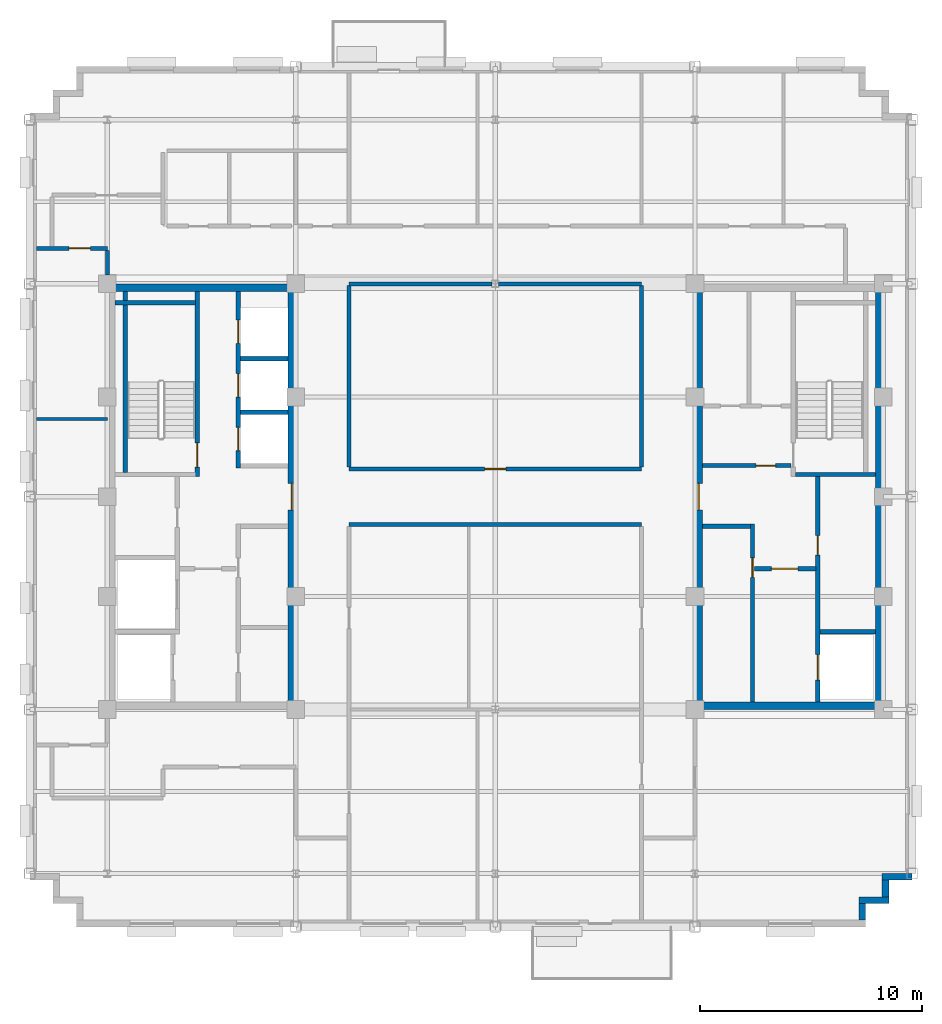
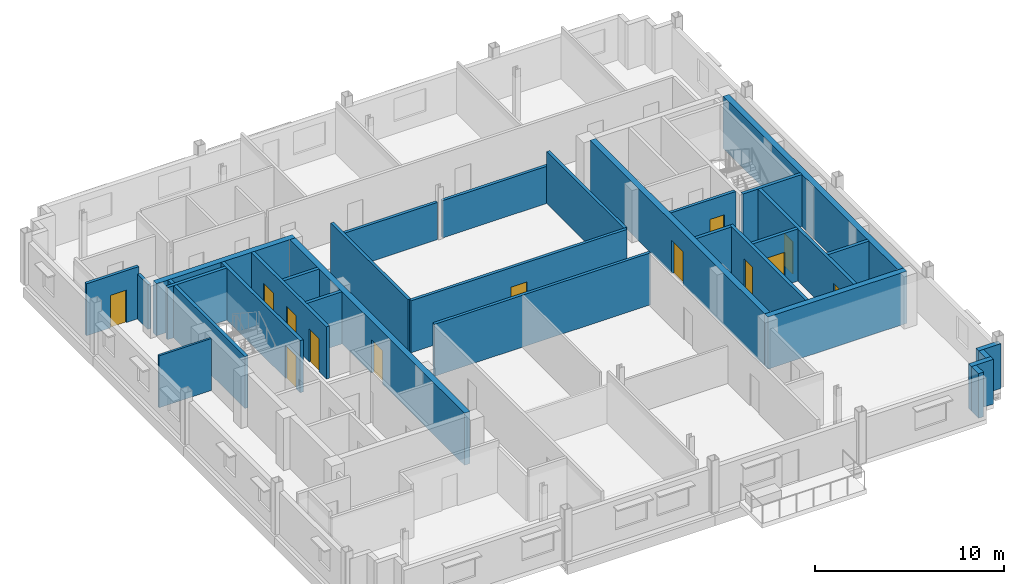
# One storey, part 7 of 13: 31 walls, 13 doors, 13 openings.
"""IFC4 building model written with IfcOpenShell, lengths in metres."""

from ifc_helpers import new_model, si_unit, direction, frame, frame_2d, origin, place, context, subcontext, project, spatial, rectangle, extrude, source, transform, mapped, material, layer, layer_set, type_object, type_shapes, element, fill, save


model = new_model("IFC4")

# Units and contexts
model_context = context("Model", 3, precision=1e-05, world=origin(), true_north=direction((0.0, 1.0)))
body_context = subcontext(model_context, "Body", "Model", "MODEL_VIEW")
ifc_project = project(units=[si_unit("LENGTHUNIT", "METRE"), si_unit("AREAUNIT", "SQUARE_METRE"), si_unit("VOLUMEUNIT", "CUBIC_METRE"), si_unit("PLANEANGLEUNIT", "RADIAN"), si_unit("MASSUNIT", "GRAM", prefix="KILO")], contexts=[model_context])

# Site, building, storey
site_placement = place(None, origin())
site = spatial("IfcSite", under=ifc_project, at=site_placement, CompositionType="ELEMENT")
building_placement = place(site_placement, origin())
building = spatial("IfcBuilding", under=site, at=building_placement, Name="Nuvemarco Arch Tower", CompositionType="ELEMENT")
storey_placement = place(building_placement, frame((0.0, 0.0, 257.949951171875)))
storey = spatial("IfcBuildingStorey", under=building, at=storey_placement, Name="L68", CompositionType="ELEMENT", Elevation=257.949951171875)

# Walls
ifc_material_1 = material(Name="Precast concrete C45/55", Category="concrete")
ifc_layer_1 = layer(ifc_material_1, 0.300048828125, Name="EW-HIGH-300")
ifc_layer_set_1 = layer_set([ifc_layer_1], Name="Precast concrete C45/55")
wall_type_1 = type_object("IfcWallType", Name="EW-HIGH-300", PredefinedType="STANDARD", material=ifc_layer_set_1)
wall_1_placement = place(storey_placement, frame((16.550048828125, -19.10400390625, 0.0), z_axis=(0.0, 0.0, 1.0), x_axis=(0.0, 1.0, 0.0)))
element("IfcWall", 1, at=wall_1_placement, inside=storey, type_object=wall_type_1, Name="L68 exterior precast facade wall 2", PredefinedType="STANDARD", context=body_context, shape_type="SweptSolid", body=[
    extrude(rectangle(XDim=0.758056640625, YDim=0.300048828125, at=frame_2d((0.37890625, 0.0))), origin(), (0.0, 0.0, 1.0), 2.89208984375),
])
wall_2_placement = place(storey_placement, frame((16.39990234375, -18.199951171875, 0.0), z_axis=(0.0, 0.0, 1.0), x_axis=(1.0, 0.0, 0.0)))
element("IfcWall", 2, at=wall_2_placement, inside=storey, type_object=wall_type_1, Name="L68 exterior precast facade wall 3", PredefinedType="STANDARD", context=body_context, shape_type="SweptSolid", body=[
    extrude(rectangle(XDim=1.35009765625, YDim=0.300048828125, at=frame_2d((0.675048828125, 0.0))), origin(), (0.0, 0.0, 1.0), 2.89208984375),
])
wall_3_placement = place(storey_placement, frame((17.60009765625, -18.053955078125, 0.0), z_axis=(0.0, 0.0, 1.0), x_axis=(0.0, 1.0, 0.0)))
element("IfcWall", 3, at=wall_3_placement, inside=storey, type_object=wall_type_1, Name="L68 exterior precast facade wall 4", PredefinedType="STANDARD", context=body_context, shape_type="SweptSolid", body=[
    extrude(rectangle(XDim=0.758056640625, YDim=0.300048828125, at=frame_2d((0.37890625, 0.0))), origin(), (0.0, 0.0, 1.0), 2.89208984375),
])
wall_4_placement = place(storey_placement, frame((17.449951171875, -17.14990234375, 0.0), z_axis=(0.0, 0.0, 1.0), x_axis=(1.0, 0.0, 0.0)))
element("IfcWall", 4, at=wall_4_placement, inside=storey, type_object=wall_type_1, Name="L68 exterior precast facade wall 5", PredefinedType="STANDARD", context=body_context, shape_type="SweptSolid", body=[
    extrude(rectangle(XDim=1.35009765625, YDim=0.300048828125, at=frame_2d((0.675048828125, 0.0))), origin(), (0.0, 0.0, 1.0), 2.89208984375),
])
ifc_material_2 = material(Name="Concrete C50/60", Category="concrete")
ifc_layer_2 = layer(ifc_material_2, 0.35009765625, Name="WL-CORE-350")
ifc_layer_set_2 = layer_set([ifc_layer_2], Name="Concrete C50/60")
wall_type_2 = type_object("IfcWallType", Name="WL-CORE-350", PredefinedType="SHEAR", material=ifc_layer_set_2)
wall_5_placement = place(storey_placement, frame((-17.5, 9.425048828125, 0.0), z_axis=(0.0, 0.0, 1.0), x_axis=(1.0, 0.0, 0.0)))
element("IfcWall", 5, at=wall_5_placement, inside=storey, type_object=wall_type_2, Name="L68 W-core shear wall N", PredefinedType="SHEAR", context=body_context, shape_type="SweptSolid", body=[
    extrude(rectangle(XDim=8.5, YDim=0.35009765625, at=frame_2d((4.25, 0.0))), origin(), (0.0, 0.0, 1.0), 3.3701171875),
])

# Wall, opening, door
wall_6_placement = place(storey_placement, frame((-9.175048828125, -9.2548828125, 0.0), z_axis=(0.0, 0.0, 1.0), x_axis=(0.0, 1.0, 0.0)))
wall_6 = element("IfcWall", 6, at=wall_6_placement, inside=storey, type_object=wall_type_2, Name="L68 W-core shear wall E", PredefinedType="SHEAR", context=body_context, shape_type="SweptSolid", body=[
    extrude(rectangle(XDim=18.509765625, YDim=0.35009765625, at=frame_2d((9.2548828125, 0.0))), origin(), (0.0, 0.0, 1.0), 3.3701171875),
])
opening_1_placement = place(wall_6_placement, frame((8.655029296875, 0.0, 0.0)))
opening_1 = element("IfcOpeningElement", 7, at=opening_1_placement, cuts=wall_6, Name="Opening FD-2", PredefinedType="OPENING", context=body_context, shape_type="SweptSolid", body=[
    extrude(rectangle(XDim=1.199951171875, YDim=2.14990234375, at=frame_2d((0.60009765625, 1.074951171875))), frame((0.0, 0.18505859375, 0.0), z_axis=(0.0, -1.0, 0.0), x_axis=(1.0, 0.0, 0.0)), (0.0, 0.0, 1.0), 0.3701171875),
])
ifc_material_3 = material(Name="Anodised steel fire door", Category="steel")
door_type_1 = type_object("IfcDoorType", Name="DR-FFLOB-FD", OperationType="NOTDEFINED", PredefinedType="DOOR", material=ifc_material_3)
shared_shape_1 = source(origin(), body_context, "Body", "SweptSolid", [
    extrude(rectangle(XDim=1.199951171875, YDim=2.14990234375, at=frame_2d((0.60009765625, 1.074951171875))), frame((0.0, 0.02490234375, 0.0), z_axis=(0.0, -1.0, 0.0), x_axis=(1.0, 0.0, 0.0)), (0.0, 0.0, 1.0), 0.050048828125),
])
type_shapes(door_type_1, [shared_shape_1])
door_1_placement = place(opening_1_placement, origin())
door_1 = element("IfcDoor", 8, at=door_1_placement, inside=storey, type_object=door_type_1, Name="L68 door FD-L68-WCORE-E", OperationType="SINGLE_SWING_LEFT", OverallHeight=2.14990234375, OverallWidth=1.199951171875, PredefinedType="DOOR", context=body_context, shape_type="MappedRepresentation", body=[
    mapped(shared_shape_1, transform((0.0, 0.0, 0.0), scale=1.0)),
])
fill(opening_1, door_1)

# Wall
wall_7_placement = place(storey_placement, frame((9.0, -9.425048828125, 0.0), z_axis=(0.0, 0.0, 1.0), x_axis=(1.0, 0.0, 0.0)))
element("IfcWall", 9, at=wall_7_placement, inside=storey, type_object=wall_type_2, Name="L68 E-core shear wall S", PredefinedType="SHEAR", context=body_context, shape_type="SweptSolid", body=[
    extrude(rectangle(XDim=8.5, YDim=0.35009765625, at=frame_2d((4.25, 0.0))), origin(), (0.0, 0.0, 1.0), 3.3701171875),
])

# Wall, opening, door
wall_8_placement = place(storey_placement, frame((9.175048828125, -9.2548828125, 0.0), z_axis=(0.0, 0.0, 1.0), x_axis=(0.0, 1.0, 0.0)))
wall_8 = element("IfcWall", 10, at=wall_8_placement, inside=storey, type_object=wall_type_2, Name="L68 E-core shear wall W", PredefinedType="SHEAR", context=body_context, shape_type="SweptSolid", body=[
    extrude(rectangle(XDim=18.509765625, YDim=0.35009765625, at=frame_2d((9.2548828125, 0.0))), origin(), (0.0, 0.0, 1.0), 3.3701171875),
])
opening_2_placement = place(wall_8_placement, frame((8.655029296875, 0.0, 0.0)))
opening_2 = element("IfcOpeningElement", 11, at=opening_2_placement, cuts=wall_8, Name="Opening FD-2", PredefinedType="OPENING", context=body_context, shape_type="SweptSolid", body=[
    extrude(rectangle(XDim=1.199951171875, YDim=2.14990234375, at=frame_2d((0.60009765625, 1.074951171875))), frame((0.0, 0.18505859375, 0.0), z_axis=(0.0, -1.0, 0.0), x_axis=(1.0, 0.0, 0.0)), (0.0, 0.0, 1.0), 0.3701171875),
])
door_2_placement = place(opening_2_placement, origin())
door_2 = element("IfcDoor", 12, at=door_2_placement, inside=storey, type_object=door_type_1, Name="L68 door FD-L68-ECORE-W", OperationType="SINGLE_SWING_RIGHT", OverallHeight=2.14990234375, OverallWidth=1.199951171875, PredefinedType="DOOR", context=body_context, shape_type="MappedRepresentation", body=[
    mapped(shared_shape_1, transform((0.0, 0.0, 0.0), scale=1.0)),
])
fill(opening_2, door_2)

# Wall
wall_9_placement = place(storey_placement, frame((17.324951171875, -9.2548828125, 0.0), z_axis=(0.0, 0.0, 1.0), x_axis=(0.0, 1.0, 0.0)))
element("IfcWall", 13, at=wall_9_placement, inside=storey, type_object=wall_type_2, Name="L68 E-core shear wall E", PredefinedType="SHEAR", context=body_context, shape_type="SweptSolid", body=[
    extrude(rectangle(XDim=18.509765625, YDim=0.35009765625, at=frame_2d((9.2548828125, 0.0))), origin(), (0.0, 0.0, 1.0), 3.3701171875),
])

# Wall, opening, door
ifc_material_4 = material(Name="Fire-rated gypsum drywall partition")
ifc_layer_3 = layer(ifc_material_4, 0.179931640625, Name="WL-CORR-180")
ifc_layer_set_3 = layer_set([ifc_layer_3], Name="Fire-rated gypsum drywall partition")
wall_type_3 = type_object("IfcWallType", Name="WL-CORR-180", PredefinedType="PARTITIONING", material=ifc_layer_set_3)
wall_10_placement = place(storey_placement, frame((9.344970703125, 1.39990234375, 0.0), z_axis=(0.0, 0.0, 1.0), x_axis=(1.0, 0.0, 0.0)))
wall_10 = element("IfcWall", 14, at=wall_10_placement, inside=storey, type_object=wall_type_3, Name="L68 interior wall IW-L68-EK-S", PredefinedType="PARTITIONING", context=body_context, shape_type="SweptSolid", body=[
    extrude(rectangle(XDim=4.0, YDim=0.179931640625, at=frame_2d((2.0, 0.0))), origin(), (0.0, 0.0, 1.0), 3.360107421875),
])
opening_3_placement = place(wall_10_placement, frame((2.4150390625, 0.0, 0.0)))
opening_3 = element("IfcOpeningElement", 15, at=opening_3_placement, cuts=wall_10, Name="Opening FD-4", PredefinedType="OPENING", context=body_context, shape_type="SweptSolid", body=[
    extrude(rectangle(XDim=0.8798828125, YDim=2.10009765625, at=frame_2d((0.43994140625, 1.050048828125))), frame((0.0, 0.099853515625, 0.0), z_axis=(0.0, -1.0, 0.0), x_axis=(1.0, 0.0, 0.0)), (0.0, 0.0, 1.0), 0.199951171875),
])
door_type_2 = type_object("IfcDoorType", Name="DR-RISER-FD", OperationType="NOTDEFINED", PredefinedType="DOOR", material=ifc_material_3)
shared_shape_2 = source(origin(), body_context, "Body", "SweptSolid", [
    extrude(rectangle(XDim=0.8798828125, YDim=2.10009765625, at=frame_2d((0.43994140625, 1.050048828125))), frame((0.0, 0.02490234375, 0.0), z_axis=(0.0, -1.0, 0.0), x_axis=(1.0, 0.0, 0.0)), (0.0, 0.0, 1.0), 0.050048828125),
])
type_shapes(door_type_2, [shared_shape_2])
door_3_placement = place(opening_3_placement, origin())
door_3 = element("IfcDoor", 16, at=door_3_placement, inside=storey, type_object=door_type_2, Name="L68 door FD-L68-EK3A", OperationType="SINGLE_SWING_LEFT", OverallHeight=2.10009765625, OverallWidth=0.8798828125, PredefinedType="DOOR", context=body_context, shape_type="MappedRepresentation", body=[
    mapped(shared_shape_2, transform((0.0, 0.0, 0.0), scale=1.0)),
])
fill(opening_3, door_3)

# Wall
wall_11_placement = place(storey_placement, frame((-6.60009765625, -1.25, 0.0), z_axis=(0.0, 0.0, 1.0), x_axis=(1.0, 0.0, 0.0)))
element("IfcWall", 17, at=wall_11_placement, inside=storey, type_object=wall_type_3, Name="L68 interior wall IW-L68-008", PredefinedType="PARTITIONING", context=body_context, shape_type="SweptSolid", body=[
    extrude(rectangle(XDim=13.2001953125, YDim=0.179931640625, at=frame_2d((6.60009765625, 0.0))), origin(), (0.0, 0.0, 1.0), 3.360107421875),
])

# Wall, opening, door
wall_12_placement = place(storey_placement, frame((-6.60009765625, 1.25, 0.0), z_axis=(0.0, 0.0, 1.0), x_axis=(1.0, 0.0, 0.0)))
wall_12 = element("IfcWall", 18, at=wall_12_placement, inside=storey, type_object=wall_type_3, Name="L68 interior wall IW-L68-009", PredefinedType="PARTITIONING", context=body_context, shape_type="SweptSolid", body=[
    extrude(rectangle(XDim=13.2001953125, YDim=0.179931640625, at=frame_2d((6.60009765625, 0.0))), origin(), (0.0, 0.0, 1.0), 3.360107421875),
])
opening_4_placement = place(wall_12_placement, frame((6.1201171875, 0.0, 0.0)))
opening_4 = element("IfcOpeningElement", 19, at=opening_4_placement, cuts=wall_12, Name="Opening FD-5", PredefinedType="OPENING", context=body_context, shape_type="SweptSolid", body=[
    extrude(rectangle(XDim=0.9599609375, YDim=2.10009765625, at=frame_2d((0.47998046875, 1.050048828125))), frame((0.0, 0.099853515625, 0.0), z_axis=(0.0, -1.0, 0.0), x_axis=(1.0, 0.0, 0.0)), (0.0, 0.0, 1.0), 0.199951171875),
])
ifc_material_5 = material(Name="Timber fire door", Category="wood")
door_type_3 = type_object("IfcDoorType", Name="DR-CORR-FD", OperationType="NOTDEFINED", PredefinedType="DOOR", material=ifc_material_5)
shared_shape_3 = source(origin(), body_context, "Body", "SweptSolid", [
    extrude(rectangle(XDim=0.9599609375, YDim=2.10009765625, at=frame_2d((0.47998046875, 1.050048828125))), frame((0.0, 0.02490234375, 0.0), z_axis=(0.0, -1.0, 0.0), x_axis=(1.0, 0.0, 0.0)), (0.0, 0.0, 1.0), 0.050048828125),
])
type_shapes(door_type_3, [shared_shape_3])
door_4_placement = place(opening_4_placement, origin())
door_4 = element("IfcDoor", 20, at=door_4_placement, inside=storey, type_object=door_type_3, Name="L68 door DR-L68-C_N1", OperationType="SINGLE_SWING_RIGHT", OverallHeight=2.10009765625, OverallWidth=0.9599609375, PredefinedType="DOOR", context=body_context, shape_type="MappedRepresentation", body=[
    mapped(shared_shape_3, transform((0.0, 0.0, 0.0), scale=1.0)),
])
fill(opening_4, door_4)

# Walls
for number, where, z_axis, x_axis, name in (
    (21, (-6.60009765625, 9.60009765625, 0.0), (0.0, 0.0, 1.0), (1.0, 0.0, 0.0), "L68 interior wall IW-L68-011"),
    (22, (0.15087890625, 9.60009765625, 0.0), (0.0, 0.0, 1.0), (1.0, 0.0, 0.0), "L68 interior wall IW-L68-012"),
):
    element("IfcWall", number, at=place(storey_placement, frame(where, z_axis=z_axis, x_axis=x_axis)), inside=storey, type_object=wall_type_3, Name=name, PredefinedType="PARTITIONING", context=body_context, shape_type="SweptSolid", body=[
        extrude(rectangle(XDim=6.44921875, YDim=0.179931640625, at=frame_2d((3.224609375, 0.0))), origin(), (0.0, 0.0, 1.0), 2.405029296875),
    ])

# Wall, opening, door
wall_13_placement = place(storey_placement, frame((-20.699951171875, 11.199951171875, 0.0), z_axis=(0.0, 0.0, 1.0), x_axis=(1.0, 0.0, 0.0)))
wall_13 = element("IfcWall", 23, at=wall_13_placement, inside=storey, type_object=wall_type_3, Name="L68 interior wall IW-L68-013", PredefinedType="PARTITIONING", context=body_context, shape_type="SweptSolid", body=[
    extrude(rectangle(XDim=3.199951171875, YDim=0.179931640625, at=frame_2d((1.60009765625, 0.0))), origin(), (0.0, 0.0, 1.0), 3.360107421875),
])
opening_5_placement = place(wall_13_placement, frame((1.469970703125, 0.0, 0.0)))
opening_5 = element("IfcOpeningElement", 24, at=opening_5_placement, cuts=wall_13, Name="Opening FD-5", PredefinedType="OPENING", context=body_context, shape_type="SweptSolid", body=[
    extrude(rectangle(XDim=0.9599609375, YDim=2.10009765625, at=frame_2d((0.47998046875, 1.050048828125))), frame((0.0, 0.099853515625, 0.0), z_axis=(0.0, -1.0, 0.0), x_axis=(1.0, 0.0, 0.0)), (0.0, 0.0, 1.0), 0.199951171875),
])
door_5_placement = place(opening_5_placement, origin())
door_5 = element("IfcDoor", 25, at=door_5_placement, inside=storey, type_object=door_type_3, Name="L68 door DR-L68-W_2", OperationType="SINGLE_SWING_LEFT", OverallHeight=2.10009765625, OverallWidth=0.9599609375, PredefinedType="DOOR", context=body_context, shape_type="MappedRepresentation", body=[
    mapped(shared_shape_3, transform((0.0, 0.0, 0.0), scale=1.0)),
])
fill(opening_5, door_5)

# Walls
wall_14_placement = place(storey_placement, frame((-17.5, 9.99609375, 0.0), z_axis=(0.0, 0.0, 1.0), x_axis=(0.0, 1.0, 0.0)))
element("IfcWall", 26, at=wall_14_placement, inside=storey, type_object=wall_type_3, Name="L68 interior wall IW-L68-021", PredefinedType="PARTITIONING", context=body_context, shape_type="SweptSolid", body=[
    extrude(rectangle(XDim=1.117919921875, YDim=0.179931640625, at=frame_2d((0.55908203125, 0.0))), origin(), (0.0, 0.0, 1.0), 2.89208984375),
])
for number, where, z_axis, x_axis, name in (
    (27, (-6.60009765625, 1.3359375, 0.0), (0.0, 0.0, 1.0), (0.0, 1.0, 0.0), "L68 interior wall IW-L68-028"),
    (28, (6.60009765625, 1.3359375, 0.0), (0.0, 0.0, 1.0), (0.0, 1.0, 0.0), "L68 interior wall IW-L68-034"),
):
    element("IfcWall", number, at=place(storey_placement, frame(where, z_axis=z_axis, x_axis=x_axis)), inside=storey, type_object=wall_type_3, Name=name, PredefinedType="PARTITIONING", context=body_context, shape_type="SweptSolid", body=[
        extrude(rectangle(XDim=8.177978515625, YDim=0.179931640625, at=frame_2d((4.0888671875, 0.0))), origin(), (0.0, 0.0, 1.0), 3.360107421875),
    ])
ifc_material_6 = material(Name="Glazed acoustic office partition")
ifc_layer_4 = layer(ifc_material_6, 0.1298828125, Name="WL-EXEC-130")
ifc_layer_set_4 = layer_set([ifc_layer_4], Name="Glazed acoustic office partition")
wall_type_4 = type_object("IfcWallType", Name="WL-EXEC-130", PredefinedType="PARTITIONING", material=ifc_layer_set_4)
wall_15_placement = place(storey_placement, frame((-20.699951171875, 3.5, 0.0), z_axis=(0.0, 0.0, 1.0), x_axis=(1.0, 0.0, 0.0)))
element("IfcWall", 29, at=wall_15_placement, inside=storey, type_object=wall_type_4, Name="L68 interior wall IW-L68-010", PredefinedType="PARTITIONING", context=body_context, shape_type="SweptSolid", body=[
    extrude(rectangle(XDim=3.199951171875, YDim=0.1298828125, at=frame_2d((1.60009765625, 0.0))), origin(), (0.0, 0.0, 1.0), 3.360107421875),
])

# Wall, opening, door
ifc_layer_5 = layer(ifc_material_2, 0.199951171875, Name="WL-SHAFT-220")
ifc_layer_set_5 = layer_set([ifc_layer_5], Name="Concrete C50/60")
wall_type_5 = type_object("IfcWallType", Name="WL-SHAFT-220", PredefinedType="SHEAR", material=ifc_layer_set_5)
wall_16_placement = place(storey_placement, frame((-13.43994140625, 0.89990234375, 0.0), z_axis=(0.0, 0.0, 1.0), x_axis=(0.0, 1.0, 0.0)))
wall_16 = element("IfcWall", 30, at=wall_16_placement, inside=storey, type_object=wall_type_5, Name="L68 structural shaft wall SW-L68-W-ST1E", PredefinedType="SHEAR", context=body_context, shape_type="SweptSolid", body=[
    extrude(rectangle(XDim=8.35498046875, YDim=0.199951171875, at=frame_2d((4.177490234375, 0.0))), origin(), (0.0, 0.0, 1.0), 3.3701171875),
])
opening_6_placement = place(wall_16_placement, frame((1.530029296875, 0.0, 0.0), z_axis=(0.0, 0.0, 1.0), x_axis=(-1.0, 0.0, 0.0)))
opening_6 = element("IfcOpeningElement", 31, at=opening_6_placement, cuts=wall_16, Name="Opening FD-1", PredefinedType="OPENING", context=body_context, shape_type="SweptSolid", body=[
    extrude(rectangle(XDim=1.10009765625, YDim=2.14990234375, at=frame_2d((0.550048828125, 1.074951171875))), frame((0.0, 0.10986328125, 0.0), z_axis=(0.0, -1.0, 0.0), x_axis=(1.0, 0.0, 0.0)), (0.0, 0.0, 1.0), 0.219970703125),
])
door_type_4 = type_object("IfcDoorType", Name="DR-STAIR-FD", OperationType="NOTDEFINED", PredefinedType="DOOR", material=ifc_material_3)
shared_shape_4 = source(origin(), body_context, "Body", "SweptSolid", [
    extrude(rectangle(XDim=1.10009765625, YDim=2.14990234375, at=frame_2d((0.550048828125, 1.074951171875))), frame((0.0, 0.02490234375, 0.0), z_axis=(0.0, -1.0, 0.0), x_axis=(1.0, 0.0, 0.0)), (0.0, 0.0, 1.0), 0.050048828125),
])
type_shapes(door_type_4, [shared_shape_4])
door_6_placement = place(opening_6_placement, origin())
door_6 = element("IfcDoor", 32, at=door_6_placement, inside=storey, type_object=door_type_4, Name="L68 door FD-L68-ST1", OperationType="SINGLE_SWING_RIGHT", OverallHeight=2.14990234375, OverallWidth=1.10009765625, PredefinedType="DOOR", context=body_context, shape_type="MappedRepresentation", body=[
    mapped(shared_shape_4, transform((0.0, 0.0, 0.0), scale=1.0)),
])
fill(opening_6, door_6)

# Walls
wall_17_placement = place(storey_placement, frame((-17.155029296875, 8.75, 0.0), z_axis=(0.0, 0.0, 1.0), x_axis=(1.0, 0.0, 0.0)))
element("IfcWall", 33, at=wall_17_placement, inside=storey, type_object=wall_type_5, Name="L68 structural shaft wall SW-L68-W-ST1N", PredefinedType="SHEAR", context=body_context, shape_type="SweptSolid", body=[
    extrude(rectangle(XDim=3.6201171875, YDim=0.199951171875, at=frame_2d((1.81005859375, 0.0))), origin(), (0.0, 0.0, 1.0), 3.3701171875),
])
wall_18_placement = place(storey_placement, frame((-16.699951171875, 1.094970703125, 0.0), z_axis=(0.0, 0.0, 1.0), x_axis=(0.0, 1.0, 0.0)))
element("IfcWall", 34, at=wall_18_placement, inside=storey, type_object=wall_type_5, Name="L68 structural shaft wall SW-L68-W-ST1W", PredefinedType="SHEAR", context=body_context, shape_type="SweptSolid", body=[
    extrude(rectangle(XDim=8.159912109375, YDim=0.199951171875, at=frame_2d((4.080078125, 0.0))), origin(), (0.0, 0.0, 1.0), 3.3701171875),
])

# Wall, openings, doors
wall_19_placement = place(storey_placement, frame((-11.60009765625, 1.300048828125, 0.0), z_axis=(0.0, 0.0, 1.0), x_axis=(0.0, 1.0, 0.0)))
wall_19 = element("IfcWall", 35, at=wall_19_placement, inside=storey, type_object=wall_type_5, Name="L68 structural shaft wall SW-L68-W-PHW", PredefinedType="SHEAR", context=body_context, shape_type="SweptSolid", body=[
    extrude(rectangle(XDim=7.954833984375, YDim=0.199951171875, at=frame_2d((3.9775390625, 0.0))), origin(), (0.0, 0.0, 1.0), 3.3701171875),
])
opening_7_placement = place(wall_19_placement, frame((0.77490234375, 0.0, 0.0)))
opening_7 = element("IfcOpeningElement", 36, at=opening_7_placement, cuts=wall_19, Name="Opening LD-1", PredefinedType="OPENING", context=body_context, shape_type="SweptSolid", body=[
    extrude(rectangle(XDim=1.050048828125, YDim=2.14990234375, at=frame_2d((0.52490234375, 1.074951171875))), frame((0.0, 0.10986328125, 0.0), z_axis=(0.0, -1.0, 0.0), x_axis=(1.0, 0.0, 0.0)), (0.0, 0.0, 1.0), 0.219970703125),
])
opening_8_placement = place(wall_19_placement, frame((3.195068359375, 0.0, 0.0)))
opening_8 = element("IfcOpeningElement", 37, at=opening_8_placement, cuts=wall_19, Name="Opening LD-1", PredefinedType="OPENING", context=body_context, shape_type="SweptSolid", body=[
    extrude(rectangle(XDim=1.050048828125, YDim=2.14990234375, at=frame_2d((0.52490234375, 1.074951171875))), frame((0.0, 0.10986328125, 0.0), z_axis=(0.0, -1.0, 0.0), x_axis=(1.0, 0.0, 0.0)), (0.0, 0.0, 1.0), 0.219970703125),
])
opening_9_placement = place(wall_19_placement, frame((5.614990234375, 0.0, 0.0)))
opening_9 = element("IfcOpeningElement", 38, at=opening_9_placement, cuts=wall_19, Name="Opening LD-1", PredefinedType="OPENING", context=body_context, shape_type="SweptSolid", body=[
    extrude(rectangle(XDim=1.050048828125, YDim=2.14990234375, at=frame_2d((0.52490234375, 1.074951171875))), frame((0.0, 0.10986328125, 0.0), z_axis=(0.0, -1.0, 0.0), x_axis=(1.0, 0.0, 0.0)), (0.0, 0.0, 1.0), 0.219970703125),
])
ifc_material_7 = material(Name="Stainless steel lift door", Category="steel")
door_type_5 = type_object("IfcDoorType", Name="DR-LIFT-PASS", OperationType="DOUBLE_DOOR_SLIDING", PredefinedType="DOOR", material=ifc_material_7)
shared_shape_5 = source(origin(), body_context, "Body", "SweptSolid", [
    extrude(rectangle(XDim=1.050048828125, YDim=2.14990234375, at=frame_2d((0.52490234375, 1.074951171875))), frame((0.0, 0.02490234375, 0.0), z_axis=(0.0, -1.0, 0.0), x_axis=(1.0, 0.0, 0.0)), (0.0, 0.0, 1.0), 0.050048828125),
])
type_shapes(door_type_5, [shared_shape_5])
door_7_placement = place(opening_7_placement, origin())
door_7 = element("IfcDoor", 39, at=door_7_placement, inside=storey, type_object=door_type_5, Name="L68 Lift landing sliding door PH-1", OperationType="DOUBLE_DOOR_SLIDING", OverallHeight=2.14990234375, OverallWidth=1.050048828125, PredefinedType="DOOR", context=body_context, shape_type="MappedRepresentation", body=[
    mapped(shared_shape_5, transform((0.0, 0.0, 0.0), scale=1.0)),
])
fill(opening_7, door_7)
door_8_placement = place(opening_8_placement, origin())
door_8 = element("IfcDoor", 40, at=door_8_placement, inside=storey, type_object=door_type_5, Name="L68 Lift landing sliding door PH-2", OperationType="DOUBLE_DOOR_SLIDING", OverallHeight=2.14990234375, OverallWidth=1.050048828125, PredefinedType="DOOR", context=body_context, shape_type="MappedRepresentation", body=[
    mapped(shared_shape_5, transform((0.0, 0.0, 0.0), scale=1.0)),
])
fill(opening_8, door_8)
door_9_placement = place(opening_9_placement, origin())
door_9 = element("IfcDoor", 41, at=door_9_placement, inside=storey, type_object=door_type_5, Name="L68 Lift landing sliding door PH-3", OperationType="DOUBLE_DOOR_SLIDING", OverallHeight=2.14990234375, OverallWidth=1.050048828125, PredefinedType="DOOR", context=body_context, shape_type="MappedRepresentation", body=[
    mapped(shared_shape_5, transform((0.0, 0.0, 0.0), scale=1.0)),
])
fill(opening_9, door_9)

# Walls
for number, where, z_axis, x_axis, name in (
    (42, (-11.5048828125, 3.800048828125, 0.0), (0.0, 0.0, 1.0), (1.0, 0.0, 0.0), "L68 structural shaft wall SW-L68-W-PHD2"),
    (43, (-11.5048828125, 6.219970703125, 0.0), (0.0, 0.0, 1.0), (1.0, 0.0, 0.0), "L68 structural shaft wall SW-L68-W-PHD3"),
):
    element("IfcWall", number, at=place(storey_placement, frame(where, z_axis=z_axis, x_axis=x_axis)), inside=storey, type_object=wall_type_5, Name=name, PredefinedType="SHEAR", context=body_context, shape_type="SweptSolid", body=[
        extrude(rectangle(XDim=2.159912109375, YDim=0.199951171875, at=frame_2d((1.080078125, 0.0))), origin(), (0.0, 0.0, 1.0), 3.3701171875),
    ])
wall_20_placement = place(storey_placement, frame((13.534912109375, 1.0, 0.0), z_axis=(0.0, 0.0, 1.0), x_axis=(1.0, 0.0, 0.0)))
element("IfcWall", 44, at=wall_20_placement, inside=storey, type_object=wall_type_5, Name="L68 structural shaft wall SW-L68-E-ST2S", PredefinedType="SHEAR", context=body_context, shape_type="SweptSolid", body=[
    extrude(rectangle(XDim=3.6201171875, YDim=0.199951171875, at=frame_2d((1.81005859375, 0.0))), origin(), (0.0, 0.0, 1.0), 3.3701171875),
])

# Wall, openings, doors
wall_21_placement = place(storey_placement, frame((14.550048828125, -9.2548828125, 0.0), z_axis=(0.0, 0.0, 1.0), x_axis=(0.0, 1.0, 0.0)))
wall_21 = element("IfcWall", 45, at=wall_21_placement, inside=storey, type_object=wall_type_5, Name="L68 structural shaft wall SW-L68-E-SHW", PredefinedType="SHEAR", context=body_context, shape_type="SweptSolid", body=[
    extrude(rectangle(XDim=10.159912109375, YDim=0.199951171875, at=frame_2d((5.080078125, 0.0))), origin(), (0.0, 0.0, 1.0), 3.3701171875),
])
opening_10_placement = place(wall_21_placement, frame((6.614990234375, 0.0, 0.0)))
opening_10 = element("IfcOpeningElement", 46, at=opening_10_placement, cuts=wall_21, Name="Opening FD-4", PredefinedType="OPENING", context=body_context, shape_type="SweptSolid", body=[
    extrude(rectangle(XDim=0.8798828125, YDim=2.10009765625, at=frame_2d((0.43994140625, 1.050048828125))), frame((0.0, 0.10986328125, 0.0), z_axis=(0.0, -1.0, 0.0), x_axis=(1.0, 0.0, 0.0)), (0.0, 0.0, 1.0), 0.219970703125),
])
opening_11_placement = place(wall_21_placement, frame((0.97998046875, 0.0, 0.0)))
opening_11 = element("IfcOpeningElement", 47, at=opening_11_placement, cuts=wall_21, Name="Opening LD-2", PredefinedType="OPENING", context=body_context, shape_type="SweptSolid", body=[
    extrude(rectangle(XDim=1.14990234375, YDim=2.14990234375, at=frame_2d((0.574951171875, 1.074951171875))), frame((0.0, 0.10986328125, 0.0), z_axis=(0.0, -1.0, 0.0), x_axis=(1.0, 0.0, 0.0)), (0.0, 0.0, 1.0), 0.219970703125),
])
door_10_placement = place(opening_10_placement, origin())
door_10 = element("IfcDoor", 48, at=door_10_placement, inside=storey, type_object=door_type_2, Name="L68 door FD-L68-ERIS", OperationType="SINGLE_SWING_LEFT", OverallHeight=2.10009765625, OverallWidth=0.8798828125, PredefinedType="DOOR", context=body_context, shape_type="MappedRepresentation", body=[
    mapped(shared_shape_2, transform((0.0, 0.0, 0.0), scale=1.0)),
])
fill(opening_10, door_10)
door_type_6 = type_object("IfcDoorType", Name="DR-LIFT-FIRE", OperationType="DOUBLE_DOOR_SLIDING", PredefinedType="DOOR", material=ifc_material_7)
shared_shape_6 = source(origin(), body_context, "Body", "SweptSolid", [
    extrude(rectangle(XDim=1.14990234375, YDim=2.14990234375, at=frame_2d((0.574951171875, 1.074951171875))), frame((0.0, 0.02490234375, 0.0), z_axis=(0.0, -1.0, 0.0), x_axis=(1.0, 0.0, 0.0)), (0.0, 0.0, 1.0), 0.050048828125),
])
type_shapes(door_type_6, [shared_shape_6])
door_11_placement = place(opening_11_placement, origin())
door_11 = element("IfcDoor", 49, at=door_11_placement, inside=storey, type_object=door_type_6, Name="L68 Lift landing sliding door FFL-2", OperationType="DOUBLE_DOOR_SLIDING", OverallHeight=2.14990234375, OverallWidth=1.14990234375, PredefinedType="DOOR", context=body_context, shape_type="MappedRepresentation", body=[
    mapped(shared_shape_6, transform((0.0, 0.0, 0.0), scale=1.0)),
])
fill(opening_11, door_11)

# Wall
wall_22_placement = place(storey_placement, frame((14.64501953125, -6.10009765625, 0.0), z_axis=(0.0, 0.0, 1.0), x_axis=(1.0, 0.0, 0.0)))
element("IfcWall", 50, at=wall_22_placement, inside=storey, type_object=wall_type_5, Name="L68 structural shaft wall SW-L68-E-SH1", PredefinedType="SHEAR", context=body_context, shape_type="SweptSolid", body=[
    extrude(rectangle(XDim=2.510009765625, YDim=0.199951171875, at=frame_2d((1.2548828125, 0.0))), origin(), (0.0, 0.0, 1.0), 3.3701171875),
])

# Wall, opening, door
wall_23_placement = place(storey_placement, frame((11.60009765625, -9.2548828125, 0.0), z_axis=(0.0, 0.0, 1.0), x_axis=(0.0, 1.0, 0.0)))
wall_23 = element("IfcWall", 51, at=wall_23_placement, inside=storey, type_object=wall_type_5, Name="L68 structural shaft wall SW-L68-E-PME", PredefinedType="SHEAR", context=body_context, shape_type="SweptSolid", body=[
    extrude(rectangle(XDim=8.02490234375, YDim=0.199951171875, at=frame_2d((4.012451171875, 0.0))), origin(), (0.0, 0.0, 1.0), 3.3701171875),
])
opening_12_placement = place(wall_23_placement, frame((5.614990234375, 0.0, 0.0)))
opening_12 = element("IfcOpeningElement", 52, at=opening_12_placement, cuts=wall_23, Name="Opening FD-4", PredefinedType="OPENING", context=body_context, shape_type="SweptSolid", body=[
    extrude(rectangle(XDim=0.8798828125, YDim=2.10009765625, at=frame_2d((0.43994140625, 1.050048828125))), frame((0.0, 0.10986328125, 0.0), z_axis=(0.0, -1.0, 0.0), x_axis=(1.0, 0.0, 0.0)), (0.0, 0.0, 1.0), 0.219970703125),
])
door_12_placement = place(opening_12_placement, origin())
door_12 = element("IfcDoor", 53, at=door_12_placement, inside=storey, type_object=door_type_2, Name="L68 door FD-L68-ERECPM", OperationType="SINGLE_SWING_RIGHT", OverallHeight=2.10009765625, OverallWidth=0.8798828125, PredefinedType="DOOR", context=body_context, shape_type="MappedRepresentation", body=[
    mapped(shared_shape_2, transform((0.0, 0.0, 0.0), scale=1.0)),
])
fill(opening_12, door_12)

wall_24_placement = place(storey_placement, frame((11.695068359375, -3.25, 0.0), z_axis=(0.0, 0.0, 1.0), x_axis=(1.0, 0.0, 0.0)))
wall_24 = element("IfcWall", 54, at=wall_24_placement, inside=storey, type_object=wall_type_5, Name="L68 structural shaft wall SW-L68-E-FFN", PredefinedType="SHEAR", context=body_context, shape_type="SweptSolid", body=[
    extrude(rectangle(XDim=2.760009765625, YDim=0.199951171875, at=frame_2d((1.3798828125, 0.0))), origin(), (0.0, 0.0, 1.0), 3.3701171875),
])
opening_13_placement = place(wall_24_placement, frame((0.7548828125, 0.0, 0.0)))
opening_13 = element("IfcOpeningElement", 55, at=opening_13_placement, cuts=wall_24, Name="Opening FD-2", PredefinedType="OPENING", context=body_context, shape_type="SweptSolid", body=[
    extrude(rectangle(XDim=1.199951171875, YDim=2.14990234375, at=frame_2d((0.60009765625, 1.074951171875))), frame((0.0, 0.10986328125, 0.0), z_axis=(0.0, -1.0, 0.0), x_axis=(1.0, 0.0, 0.0)), (0.0, 0.0, 1.0), 0.219970703125),
])
door_13_placement = place(opening_13_placement, origin())
door_13 = element("IfcDoor", 56, at=door_13_placement, inside=storey, type_object=door_type_1, Name="L68 door FD-L68-EFF2", OperationType="SINGLE_SWING_LEFT", OverallHeight=2.14990234375, OverallWidth=1.199951171875, PredefinedType="DOOR", context=body_context, shape_type="MappedRepresentation", body=[
    mapped(shared_shape_1, transform((0.0, 0.0, 0.0), scale=1.0)),
])
fill(opening_13, door_13)

# Wall
wall_25_placement = place(storey_placement, frame((9.344970703125, -1.330078125, 0.0), z_axis=(0.0, 0.0, 1.0), x_axis=(1.0, 0.0, 0.0)))
element("IfcWall", 57, at=wall_25_placement, inside=storey, type_object=wall_type_5, Name="L68 structural shaft wall SW-L68-E-PMTOP", PredefinedType="SHEAR", context=body_context, shape_type="SweptSolid", body=[
    extrude(rectangle(XDim=2.159912109375, YDim=0.199951171875, at=frame_2d((1.080078125, 0.0))), origin(), (0.0, 0.0, 1.0), 3.3701171875),
])

save(model, "model.ifc")
